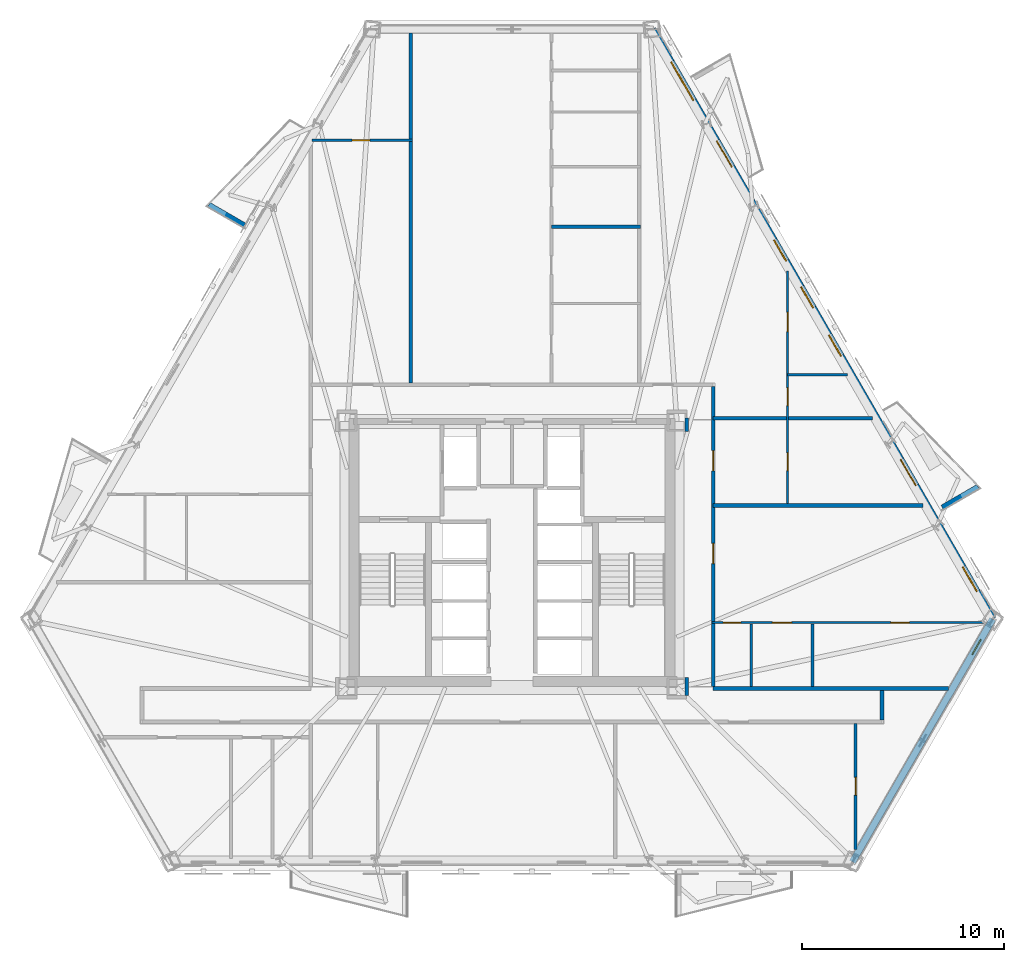
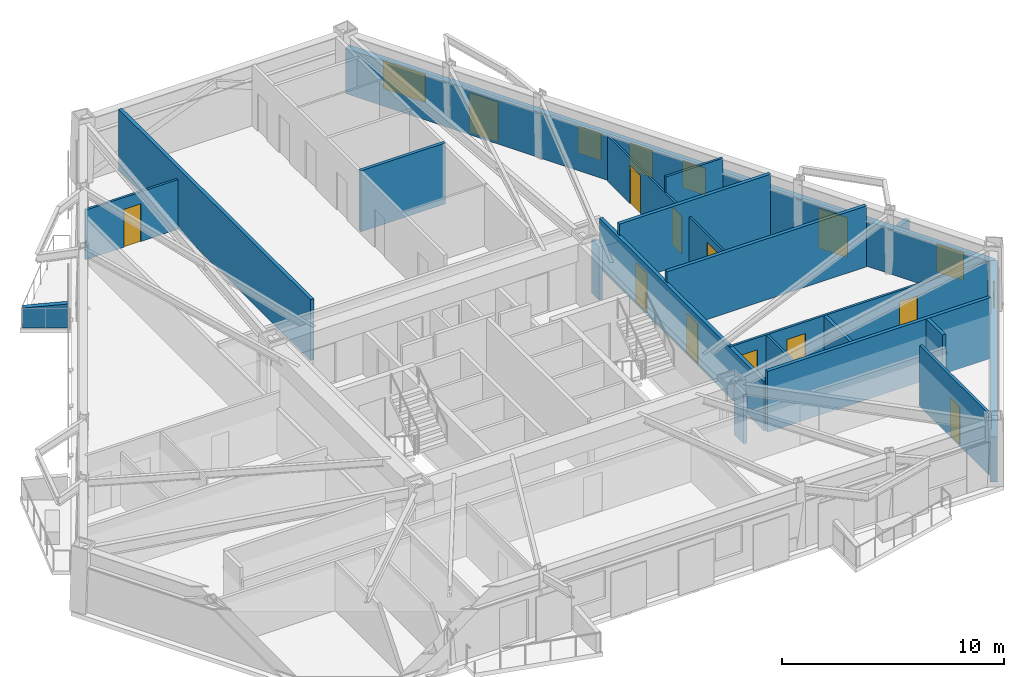
# One storey, part 5 of 10: 20 walls, 12 doors, 6 windows, 18 openings.
"""IFC4 building model written with IfcOpenShell, lengths in metres."""

import ifcopenshell
import ifcopenshell.guid

model = None  # the IFC model being written
_history = None  # IfcOwnerHistory: only IFC2X3 demands one
_inside = {}  # id of a spatial element -> (the spatial element, [elements in it])
_under = {}  # id of a project, library or spatial element -> (it, [spatial elements below it])
_declared = {}  # id of a project -> (the project, [libraries it declares])
_typed = {}  # id of a type object -> (the type object, [elements of that type])
_made_of = {}  # id of a material, layer set ... -> (it, [elements and type objects made of it])


def new_model(schema):
    """Start an empty IFC model of exactly this schema.

    Asked for "IFC4X3", IfcOpenShell would pick the latest addendum, in which some entities
    have other attributes; the version numbers below select the first issue.
    IFC2X3 requires an IfcOwnerHistory on every rooted entity: one is made here for all.
    """
    global model, _history
    if schema == "IFC4X3":
        model = ifcopenshell.file(schema_version=(4, 3, 0, 0))
    else:
        model = ifcopenshell.file(schema=schema)
    _inside.clear()
    _under.clear()
    _declared.clear()
    _typed.clear()
    _made_of.clear()
    _history = None
    if model.schema == "IFC2X3":
        org = make("IfcOrganization", Name="unknown")
        user = make(
            "IfcPersonAndOrganization",
            ThePerson=make("IfcPerson", FamilyName="unknown"),
            TheOrganization=org,
        )
        app = make(
            "IfcApplication",
            ApplicationDeveloper=org,
            Version="unknown",
            ApplicationFullName="unknown",
            ApplicationIdentifier="unknown",
        )
        _history = make(
            "IfcOwnerHistory",
            OwningUser=user,
            OwningApplication=app,
            ChangeAction="ADDED",
            CreationDate=0,
        )
    return model


def make(cls, **values):
    """One entity of the class cls with the attributes given. An attribute that is None is left unset."""
    return model.create_entity(
        cls, **{name: value for name, value in values.items() if value is not None}
    )


def rooted(cls, **values):
    """An entity with a GlobalId (a new one), such as an element, a storey or a relation."""
    return make(cls, GlobalId=ifcopenshell.guid.new(), OwnerHistory=_history, **values)


def si_unit(unit_type, name, prefix=None):
    """IfcSIUnit, for example si_unit("LENGTHUNIT", "METRE", prefix="MILLI")."""
    return make("IfcSIUnit", UnitType=unit_type, Prefix=prefix, Name=name)


def assignment(units):
    """IfcUnitAssignment: the units of a project."""
    return None if units is None else make("IfcUnitAssignment", Units=units)


def point(xyz):
    """IfcCartesianPoint."""
    return None if xyz is None else make("IfcCartesianPoint", Coordinates=xyz)


def direction(xyz):
    """IfcDirection."""
    return None if xyz is None else make("IfcDirection", DirectionRatios=xyz)


def frame(location, z_axis=None, x_axis=None):
    """IfcAxis2Placement3D, a coordinate frame: its origin and axes. An axis left out is left unset."""
    return make(
        "IfcAxis2Placement3D",
        Location=point(location),
        Axis=direction(z_axis),
        RefDirection=direction(x_axis),
    )


def frame_2d(location, x_axis=None):
    """IfcAxis2Placement2D, a coordinate frame in the plane: its origin and x axis."""
    return make(
        "IfcAxis2Placement2D", Location=point(location), RefDirection=direction(x_axis)
    )


def origin():
    """The frame at (0, 0, 0) with its axes left unset."""
    return frame((0.0, 0.0, 0.0))


def place(relative_to, where):
    """IfcLocalPlacement: puts the frame where relative to a parent placement (None: the world)."""
    return make(
        "IfcLocalPlacement", PlacementRelTo=relative_to, RelativePlacement=where
    )


def context(
    kind, dimensions, precision=None, world=None, true_north=None, identifier=None
):
    """IfcGeometricRepresentationContext, for example the 3D "Model" context."""
    return make(
        "IfcGeometricRepresentationContext",
        ContextIdentifier=identifier,
        ContextType=kind,
        CoordinateSpaceDimension=dimensions,
        Precision=precision,
        WorldCoordinateSystem=world,
        TrueNorth=true_north,
    )


def subcontext(parent, identifier, kind, view, scale=None):
    """IfcGeometricRepresentationSubContext, for example "Body" below "Model"."""
    return make(
        "IfcGeometricRepresentationSubContext",
        ContextIdentifier=identifier,
        ContextType=kind,
        ParentContext=parent,
        TargetScale=scale,
        TargetView=view,
    )


def project(units=None, contexts=None):
    """IfcProject with its units and contexts."""
    return rooted(
        "IfcProject",
        Name="project",
        RepresentationContexts=contexts,
        UnitsInContext=assignment(units),
    )


def spatial(cls, under=None, at=None, **own):
    """A site, building, storey or space (cls), placed at a placement, below another one or the project."""
    s = rooted(cls, ObjectPlacement=at, **own)
    if under is not None:
        _under.setdefault(under.id(), (under, []))[1].append(s)
    return s


def polyline(points):
    """IfcPolyline through the points."""
    return make("IfcPolyline", Points=[point(p) for p in points])


def profile(cls, at=None, kind="AREA", **sizes):
    """A parametric profile (cls). Its sizes go by their IFC names, for example OverallWidth=200.0."""
    return make(cls, ProfileType=kind, Position=at, **sizes)


def rectangle(**sizes):
    """IfcRectangleProfileDef."""
    return profile("IfcRectangleProfileDef", **sizes)


def outline(outer, holes=None, kind="AREA"):
    """IfcArbitraryClosedProfileDef: a profile drawn as a closed curve; with holes, ...WithVoids."""
    if holes is None:
        return make("IfcArbitraryClosedProfileDef", ProfileType=kind, OuterCurve=outer)
    return make(
        "IfcArbitraryProfileDefWithVoids",
        ProfileType=kind,
        OuterCurve=outer,
        InnerCurves=holes,
    )


def extrude(swept, where, along, depth):
    """IfcExtrudedAreaSolid: the profile swept, set in the frame where, extruded along a direction by depth."""
    return make(
        "IfcExtrudedAreaSolid",
        SweptArea=swept,
        Position=where,
        ExtrudedDirection=direction(along),
        Depth=depth,
    )


def shape(context_of_items, identifier, shape_type, items):
    """IfcShapeRepresentation: the items that make up one representation, for example the "Body"."""
    return make(
        "IfcShapeRepresentation",
        ContextOfItems=context_of_items,
        RepresentationIdentifier=identifier,
        RepresentationType=shape_type,
        Items=items,
    )


def material(Name=None, Category=None):
    """IfcMaterial."""
    return make("IfcMaterial", Name=Name, Category=Category)


def layer(
    of_material, thickness, ventilated=None, Name=None, Category=None, Priority=None
):
    """IfcMaterialLayer: one layer of a wall or slab, of a material (None: an air gap)."""
    return make(
        "IfcMaterialLayer",
        Material=of_material,
        LayerThickness=thickness,
        IsVentilated=ventilated,
        Name=Name,
        Category=Category,
        Priority=Priority,
    )


def layer_set(layers, Name=None):
    """IfcMaterialLayerSet."""
    return make("IfcMaterialLayerSet", MaterialLayers=layers, LayerSetName=Name)


def made_of(thing, what):
    """Note that an element or type object is made of a material, layer set ...; save() writes the relation."""
    if what is not None:
        _made_of.setdefault(what.id(), (what, []))[1].append(thing)
    return thing


def type_object(cls, material=None, **own):
    """A type object (cls), such as IfcWallType, which elements share."""
    return made_of(rooted(cls, **own), material)


def element(
    cls,
    number,
    at=None,
    inside=None,
    cuts=None,
    type_object=None,
    material=None,
    context=None,
    identifier="Body",
    shape_type=None,
    held_by="IfcProductDefinitionShape",
    body=None,
    shapes=None,
    **own,
):
    """One element of the class cls, such as IfcWall. Its Tag is "e" and its number.

    at: its placement. inside: the storey or other place that contains it. cuts: it is an
    opening in that element (IfcRelVoidsElement). A single representation is given by context,
    identifier, shape_type and body (its items); several are given by shapes. held_by: the class
    of the entity that holds the representations. save() writes the other relations.
    """
    e = rooted(cls, Tag="e%d" % number, ObjectPlacement=at, **own)
    if body is not None:
        shapes = [shape(context, identifier, shape_type, body)]
    if shapes is not None:
        e.Representation = make(held_by, Representations=shapes)
    if inside is not None:
        _inside.setdefault(inside.id(), (inside, []))[1].append(e)
    if cuts is not None:
        rooted(
            "IfcRelVoidsElement", RelatingBuildingElement=cuts, RelatedOpeningElement=e
        )
    if type_object is not None:
        _typed.setdefault(type_object.id(), (type_object, []))[1].append(e)
    return made_of(e, material)


def fill(opening, filler):
    """IfcRelFillsElement: the door or window that sits in an opening."""
    return rooted(
        "IfcRelFillsElement",
        RelatingOpeningElement=opening,
        RelatedBuildingElement=filler,
    )


def aggregate(whole, parts):
    """IfcRelAggregates: a whole, such as a stair, and the parts it consists of."""
    return rooted("IfcRelAggregates", RelatingObject=whole, RelatedObjects=parts)


def save(model, path):
    """Write the relations noted so far, then the file.

    IfcRelAggregates (storeys below a building ...), IfcRelContainedInSpatialStructure (elements
    in a storey), IfcRelDefinesByType, IfcRelAssociatesMaterial and IfcRelDeclares: one each for
    every whole, place, type object, material and project.
    """
    for whole, parts in _under.values():
        aggregate(whole, parts)
    for where, things in _inside.values():
        rooted(
            "IfcRelContainedInSpatialStructure",
            RelatedElements=things,
            RelatingStructure=where,
        )
    for kind, things in _typed.values():
        rooted("IfcRelDefinesByType", RelatedObjects=things, RelatingType=kind)
    for what, things in _made_of.values():
        rooted("IfcRelAssociatesMaterial", RelatedObjects=things, RelatingMaterial=what)
    for by, libraries in _declared.values():
        rooted("IfcRelDeclares", RelatingContext=by, RelatedDefinitions=libraries)
    model.write(path)


model = new_model("IFC4")

# Units and contexts
model_context = context("Model", 3, precision=1e-05, world=origin(), true_north=direction((0.0, 1.0)))
body_context = subcontext(model_context, "Body", "Model", "MODEL_VIEW")
ifc_project = project(units=[si_unit("LENGTHUNIT", "METRE"), si_unit("AREAUNIT", "SQUARE_METRE"), si_unit("VOLUMEUNIT", "CUBIC_METRE"), si_unit("PLANEANGLEUNIT", "RADIAN"), si_unit("MASSUNIT", "GRAM", prefix="KILO")], contexts=[model_context])

# Site, building, storey
site_placement = place(None, origin())
site = spatial("IfcSite", under=ifc_project, at=site_placement, CompositionType="ELEMENT")
building_placement = place(site_placement, origin())
building = spatial("IfcBuilding", under=site, at=building_placement, Name="Oramaril Tower", CompositionType="ELEMENT")
storey_placement = place(building_placement, frame((0.0, 0.0, 63.300048828125)))
storey = spatial("IfcBuildingStorey", under=building, at=storey_placement, Name="L16", CompositionType="ELEMENT", Elevation=63.300048828125)

# Wall, opening, window
ifc_material_1 = material(Name="Warm Cream Limestone", Category="masonry")
ifc_layer_1 = layer(ifc_material_1, 0.340087890625)
ifc_layer_set_1 = layer_set([ifc_layer_1], Name="WT-EXT34")
wall_type_1 = type_object("IfcWallType", Name="WT-EXT34", PredefinedType="SOLIDWALL", material=ifc_layer_set_1)
wall_1_placement = place(storey_placement, frame((54.33740234375, 2.370361328125, 0.0), z_axis=(0.0, 0.0, 1.0), x_axis=(0.500006336147, 0.866021745577, 0.0)))
wall_1 = element("IfcWall", 1, at=wall_1_placement, inside=storey, type_object=wall_type_1, Name="L16 Tower Limestone Facade Wall 3M", PredefinedType="SOLIDWALL", context=body_context, shape_type="SweptSolid", body=[
    extrude(rectangle(XDim=13.871337890625, YDim=0.340087890625, at=frame_2d((6.935546875, 0.0))), origin(), (0.0, 0.0, 1.0), 2.493896484375),
])
opening_1_placement = place(wall_1_placement, frame((11.84912109375, 0.0, 1.280029296875)))
opening_1 = element("IfcOpeningElement", 2, at=opening_1_placement, cuts=wall_1, Name="Opening WN-13", PredefinedType="OPENING", context=body_context, shape_type="SweptSolid", body=[
    extrude(rectangle(XDim=0.85009765625, YDim=0.919921875, at=frame_2d((0.425048828125, 0.4599609375))), frame((0.0, 0.169921875, 0.0), z_axis=(0.0, -1.0, 0.0), x_axis=(1.0, 0.0, 0.0)), (0.0, 0.0, 1.0), 0.340087890625),
])
ifc_material_2 = material(Name="Coastal Low-E Insulated Glass", Category="glass")
window_type_1 = type_object("IfcWindowType", Name="WNT-13", PartitioningType="SINGLE_PANEL", PredefinedType="WINDOW", material=ifc_material_2)
window_1_placement = place(opening_1_placement, origin())
window_1 = element("IfcWindow", 3, at=window_1_placement, inside=storey, type_object=window_type_1, Name="L16 Apartment Bedroom Window WN-13", OverallHeight=0.919921875, OverallWidth=0.85009765625, PartitioningType="SINGLE_PANEL", PredefinedType="WINDOW", context=body_context, shape_type="SweptSolid", body=[
    extrude(rectangle(XDim=0.85009765625, YDim=0.919921875, at=frame_2d((0.425048828125, 0.4599609375))), frame((0.0, 0.030029296875, 0.0), z_axis=(0.0, -1.0, 0.0), x_axis=(1.0, 0.0, 0.0)), (0.0, 0.0, 1.0), 0.06005859375),
])
fill(opening_1, window_1)

# Wall, openings, doors, windows
wall_2_placement = place(storey_placement, frame((61.273193359375, 14.38330078125, 0.0), z_axis=(0.0, 0.0, 1.0), x_axis=(-0.500001933811, 0.866024287295, 0.0)))
wall_2 = element("IfcWall", 4, at=wall_2_placement, inside=storey, type_object=wall_type_1, Name="L16 Tower Limestone Facade Wall 4M", PredefinedType="SOLIDWALL", context=body_context, shape_type="SweptSolid", body=[
    extrude(rectangle(XDim=33.674560546875, YDim=0.340087890625, at=frame_2d((16.83740234375, 0.0))), origin(), (0.0, 0.0, 1.0), 2.493896484375),
])
opening_2_placement = place(wall_2_placement, frame((7.614501953125, 0.0, 0.0)))
opening_2 = element("IfcOpeningElement", 5, at=opening_2_placement, cuts=wall_2, Name="Opening D-L16-BAL-NE1", PredefinedType="OPENING", context=body_context, shape_type="SweptSolid", body=[
    extrude(rectangle(XDim=1.5, YDim=2.199951171875, at=frame_2d((0.75, 1.10009765625))), frame((0.0, 0.169921875, 0.0), z_axis=(0.0, -1.0, 0.0), x_axis=(1.0, 0.0, 0.0)), (0.0, 0.0, 1.0), 0.340087890625),
])
opening_3_placement = place(wall_2_placement, frame((25.805419921875, 0.0, 0.0)))
opening_3 = element("IfcOpeningElement", 6, at=opening_3_placement, cuts=wall_2, Name="Opening D-L16-BAL-NE2", PredefinedType="OPENING", context=body_context, shape_type="SweptSolid", body=[
    extrude(rectangle(XDim=1.5, YDim=2.199951171875, at=frame_2d((0.75, 1.10009765625))), frame((0.0, 0.169921875, 0.0), z_axis=(0.0, -1.0, 0.0), x_axis=(1.0, 0.0, 0.0)), (0.0, 0.0, 1.0), 0.340087890625),
])
opening_4_placement = place(wall_2_placement, frame((1.569580078125, 0.0, 0.85009765625)))
opening_4 = element("IfcOpeningElement", 7, at=opening_4_placement, cuts=wall_2, Name="Opening WN-08", PredefinedType="OPENING", context=body_context, shape_type="SweptSolid", body=[
    extrude(rectangle(XDim=1.39990234375, YDim=1.533935546875, at=frame_2d((0.699951171875, 0.76708984375))), frame((0.0, 0.169921875, 0.0), z_axis=(0.0, -1.0, 0.0), x_axis=(1.0, 0.0, 0.0)), (0.0, 0.0, 1.0), 0.340087890625),
])
opening_5_placement = place(wall_2_placement, frame((20.43603515625, 0.0, 0.85009765625)))
opening_5 = element("IfcOpeningElement", 8, at=opening_5_placement, cuts=wall_2, Name="Opening WN-09", PredefinedType="OPENING", context=body_context, shape_type="SweptSolid", body=[
    extrude(rectangle(XDim=1.199951171875, YDim=1.47998046875, at=frame_2d((0.60009765625, 0.739990234375))), frame((0.0, 0.169921875, 0.0), z_axis=(0.0, -1.0, 0.0), x_axis=(1.0, 0.0, 0.0)), (0.0, 0.0, 1.0), 0.340087890625),
])
opening_6_placement = place(wall_2_placement, frame((29.610107421875, 0.0, 0.85009765625)))
opening_6 = element("IfcOpeningElement", 9, at=opening_6_placement, cuts=wall_2, Name="Opening WN-04", PredefinedType="OPENING", context=body_context, shape_type="SweptSolid", body=[
    extrude(rectangle(XDim=2.199951171875, YDim=1.533935546875, at=frame_2d((1.10009765625, 0.76708984375))), frame((0.0, 0.169921875, 0.0), z_axis=(0.0, -1.0, 0.0), x_axis=(1.0, 0.0, 0.0)), (0.0, 0.0, 1.0), 0.340087890625),
])
opening_7_placement = place(wall_2_placement, frame((15.0126953125, 0.0, 0.85009765625)))
opening_7 = element("IfcOpeningElement", 10, at=opening_7_placement, cuts=wall_2, Name="Opening WN-09", PredefinedType="OPENING", context=body_context, shape_type="SweptSolid", body=[
    extrude(rectangle(XDim=1.199951171875, YDim=1.47998046875, at=frame_2d((0.60009765625, 0.739990234375))), frame((0.0, 0.169921875, 0.0), z_axis=(0.0, -1.0, 0.0), x_axis=(1.0, 0.0, 0.0)), (0.0, 0.0, 1.0), 0.340087890625),
])
opening_8_placement = place(wall_2_placement, frame((17.7646484375, 0.0, 0.85009765625)))
opening_8 = element("IfcOpeningElement", 11, at=opening_8_placement, cuts=wall_2, Name="Opening WN-09", PredefinedType="OPENING", context=body_context, shape_type="SweptSolid", body=[
    extrude(rectangle(XDim=1.199951171875, YDim=1.47998046875, at=frame_2d((0.60009765625, 0.739990234375))), frame((0.0, 0.169921875, 0.0), z_axis=(0.0, -1.0, 0.0), x_axis=(1.0, 0.0, 0.0)), (0.0, 0.0, 1.0), 0.340087890625),
])
ifc_material_3 = material(Name="Anodised Aluminium 6063-T6", Category="aluminium")
door_type_1 = type_object("IfcDoorType", Name="DT-BAL", OperationType="NOTDEFINED", PredefinedType="DOOR", material=ifc_material_3)
door_1_placement = place(opening_2_placement, origin())
door_1 = element("IfcDoor", 12, at=door_1_placement, inside=storey, type_object=door_type_1, Name="L16 Balcony Glazed Door L16-BAL-NE1", OperationType="SINGLE_SWING_LEFT", OverallHeight=2.199951171875, OverallWidth=1.5, PredefinedType="DOOR", context=body_context, shape_type="SweptSolid", body=[
    extrude(rectangle(XDim=1.5, YDim=2.199951171875, at=frame_2d((0.75, 1.10009765625))), frame((0.0, 0.02490234375, 0.0), z_axis=(0.0, -1.0, 0.0), x_axis=(1.0, 0.0, 0.0)), (0.0, 0.0, 1.0), 0.050048828125),
])
fill(opening_2, door_1)
door_2_placement = place(opening_3_placement, origin())
door_2 = element("IfcDoor", 13, at=door_2_placement, inside=storey, type_object=door_type_1, Name="L16 Balcony Glazed Door L16-BAL-NE2", OperationType="SINGLE_SWING_RIGHT", OverallHeight=2.199951171875, OverallWidth=1.5, PredefinedType="DOOR", context=body_context, shape_type="SweptSolid", body=[
    extrude(rectangle(XDim=1.5, YDim=2.199951171875, at=frame_2d((0.75, 1.10009765625))), frame((0.0, 0.02490234375, 0.0), z_axis=(0.0, -1.0, 0.0), x_axis=(1.0, 0.0, 0.0)), (0.0, 0.0, 1.0), 0.050048828125),
])
fill(opening_3, door_2)
ifc_material_4 = material(Name="Coastal Low-E Insulated Glass", Category="glass")
window_type_2 = type_object("IfcWindowType", Name="WNT-04", PartitioningType="SINGLE_PANEL", PredefinedType="WINDOW", material=ifc_material_4)
window_2_placement = place(opening_6_placement, origin())
window_2 = element("IfcWindow", 14, at=window_2_placement, inside=storey, type_object=window_type_2, Name="L16 Chicago Bay Window WN-04", OverallHeight=1.533935546875, OverallWidth=2.199951171875, PartitioningType="SINGLE_PANEL", PredefinedType="WINDOW", context=body_context, shape_type="SweptSolid", body=[
    extrude(rectangle(XDim=2.199951171875, YDim=1.533935546875, at=frame_2d((1.10009765625, 0.76708984375))), frame((0.0, 0.030029296875, 0.0), z_axis=(0.0, -1.0, 0.0), x_axis=(1.0, 0.0, 0.0)), (0.0, 0.0, 1.0), 0.06005859375),
])
fill(opening_6, window_2)
ifc_material_5 = material(Name="Coastal Low-E Insulated Glass", Category="glass")
window_type_3 = type_object("IfcWindowType", Name="WNT-08", PartitioningType="SINGLE_PANEL", PredefinedType="WINDOW", material=ifc_material_5)
window_3_placement = place(opening_4_placement, origin())
window_3 = element("IfcWindow", 15, at=window_3_placement, inside=storey, type_object=window_type_3, Name="L16 Chicago Bay Window WN-08", OverallHeight=1.533935546875, OverallWidth=1.39990234375, PartitioningType="SINGLE_PANEL", PredefinedType="WINDOW", context=body_context, shape_type="SweptSolid", body=[
    extrude(rectangle(XDim=1.39990234375, YDim=1.533935546875, at=frame_2d((0.699951171875, 0.76708984375))), frame((0.0, 0.030029296875, 0.0), z_axis=(0.0, -1.0, 0.0), x_axis=(1.0, 0.0, 0.0)), (0.0, 0.0, 1.0), 0.06005859375),
])
fill(opening_4, window_3)
ifc_material_6 = material(Name="Coastal Low-E Insulated Glass", Category="glass")
window_type_4 = type_object("IfcWindowType", Name="WNT-09", PartitioningType="SINGLE_PANEL", PredefinedType="WINDOW", material=ifc_material_6)
window_4_placement = place(opening_5_placement, origin())
window_4 = element("IfcWindow", 16, at=window_4_placement, inside=storey, type_object=window_type_4, Name="L16 Chicago Bay Window WN-09", OverallHeight=1.47998046875, OverallWidth=1.199951171875, PartitioningType="SINGLE_PANEL", PredefinedType="WINDOW", context=body_context, shape_type="SweptSolid", body=[
    extrude(rectangle(XDim=1.199951171875, YDim=1.47998046875, at=frame_2d((0.60009765625, 0.739990234375))), frame((0.0, 0.030029296875, 0.0), z_axis=(0.0, -1.0, 0.0), x_axis=(1.0, 0.0, 0.0)), (0.0, 0.0, 1.0), 0.06005859375),
])
fill(opening_5, window_4)
window_5_placement = place(opening_7_placement, origin())
window_5 = element("IfcWindow", 17, at=window_5_placement, inside=storey, type_object=window_type_4, Name="L16 Chicago Bay Window WN-09", OverallHeight=1.47998046875, OverallWidth=1.199951171875, PartitioningType="SINGLE_PANEL", PredefinedType="WINDOW", context=body_context, shape_type="SweptSolid", body=[
    extrude(rectangle(XDim=1.199951171875, YDim=1.47998046875, at=frame_2d((0.60009765625, 0.739990234375))), frame((0.0, 0.030029296875, 0.0), z_axis=(0.0, -1.0, 0.0), x_axis=(1.0, 0.0, 0.0)), (0.0, 0.0, 1.0), 0.06005859375),
])
fill(opening_7, window_5)
window_6_placement = place(opening_8_placement, origin())
window_6 = element("IfcWindow", 18, at=window_6_placement, inside=storey, type_object=window_type_4, Name="L16 Chicago Bay Window WN-09", OverallHeight=1.47998046875, OverallWidth=1.199951171875, PartitioningType="SINGLE_PANEL", PredefinedType="WINDOW", context=body_context, shape_type="SweptSolid", body=[
    extrude(rectangle(XDim=1.199951171875, YDim=1.47998046875, at=frame_2d((0.60009765625, 0.739990234375))), frame((0.0, 0.030029296875, 0.0), z_axis=(0.0, -1.0, 0.0), x_axis=(1.0, 0.0, 0.0)), (0.0, 0.0, 1.0), 0.06005859375),
])
fill(opening_8, window_6)

# Walls
ifc_material_7 = material(Name="Concrete C40/50", Category="concrete")
ifc_layer_2 = layer(ifc_material_7, 0.22998046875)
ifc_layer_set_2 = layer_set([ifc_layer_2], Name="WT-PRP23")
wall_type_2 = type_object("IfcWallType", Name="WT-PRP23", PredefinedType="PARAPET", material=ifc_layer_set_2)
for number, where, z_axis, x_axis, name in (
    (19, (58.771240234375, 19.91259765625, 0.0), (0.0, 0.0, 1.0), (0.866042246008, 0.499970827278, 0.0), "L16 Trapezoidal Balcony Frame Cheek L16-BAL-NE1-L"),
    (20, (24.28173828125, 33.860595703125, 0.0), (0.0, 0.0, 1.0), (-0.866042246008, 0.499970827278, 0.0), "L16 Trapezoidal Balcony Frame Cheek L16-BAL-NW1-R"),
):
    element("IfcWall", number, at=place(storey_placement, frame(where, z_axis=z_axis, x_axis=x_axis)), inside=storey, type_object=wall_type_2, Name=name, PredefinedType="PARAPET", context=body_context, shape_type="SweptSolid", body=[
        extrude(outline(polyline([(0.0, 0.0), (2.0419921875, 0.0), (2.0419921875, 1.099853515625), (0.0, 1.320068359375), (0.0, 0.0)])), frame((0.0, 0.114990234375, 0.0), z_axis=(0.0, -1.0, 0.0), x_axis=(1.0, 0.0, 0.0)), (0.0, 0.0, 1.0), 0.22998046875),
    ])

# Wall, openings, doors
ifc_material_8 = material(Name="Acoustic Gypsum Board Partition")
ifc_layer_3 = layer(ifc_material_8, 0.10009765625)
ifc_layer_set_3 = layer_set([ifc_layer_3], Name="WT-PT10")
wall_type_3 = type_object("IfcWallType", Name="WT-PT10", PredefinedType="PARTITIONING", material=ifc_layer_set_3)
wall_3_placement = place(storey_placement, frame((51.1298828125, 20.093994140625, 0.0), z_axis=(0.0, 0.0, 1.0), x_axis=(0.0, 1.0, 0.0)))
wall_3 = element("IfcWall", 21, at=wall_3_placement, inside=storey, type_object=wall_type_3, Name="L16 Interior Partition PT-10", PredefinedType="PARTITIONING", context=body_context, shape_type="SweptSolid", body=[
    extrude(rectangle(XDim=11.509521484375, YDim=0.10009765625, at=frame_2d((5.7548828125, 0.0))), origin(), (0.0, 0.0, 1.0), 2.493896484375),
])
opening_9_placement = place(wall_3_placement, frame((4.841064453125, 0.0, 0.0)))
opening_9 = element("IfcOpeningElement", 22, at=opening_9_placement, cuts=wall_3, Name="Opening D-L16-27", PredefinedType="OPENING", context=body_context, shape_type="SweptSolid", body=[
    extrude(rectangle(XDim=0.8798828125, YDim=2.080078125, at=frame_2d((0.43994140625, 1.0400390625))), frame((0.0, 0.050048828125, 0.0), z_axis=(0.0, -1.0, 0.0), x_axis=(1.0, 0.0, 0.0)), (0.0, 0.0, 1.0), 0.10009765625),
])
opening_10_placement = place(wall_3_placement, frame((8.49951171875, 0.0, 0.0)))
opening_10 = element("IfcOpeningElement", 23, at=opening_10_placement, cuts=wall_3, Name="Opening D-L16-28", PredefinedType="OPENING", context=body_context, shape_type="SweptSolid", body=[
    extrude(rectangle(XDim=0.949951171875, YDim=2.10009765625, at=frame_2d((0.47509765625, 1.050048828125))), frame((0.0, 0.050048828125, 0.0), z_axis=(0.0, -1.0, 0.0), x_axis=(1.0, 0.0, 0.0)), (0.0, 0.0, 1.0), 0.10009765625),
])
opening_11_placement = place(wall_3_placement, frame((1.6259765625, 0.0, 0.0)))
opening_11 = element("IfcOpeningElement", 24, at=opening_11_placement, cuts=wall_3, Name="Opening D-L16-29", PredefinedType="OPENING", context=body_context, shape_type="SweptSolid", body=[
    extrude(rectangle(XDim=0.8798828125, YDim=2.080078125, at=frame_2d((0.43994140625, 1.0400390625))), frame((0.0, 0.050048828125, 0.0), z_axis=(0.0, -1.0, 0.0), x_axis=(1.0, 0.0, 0.0)), (0.0, 0.0, 1.0), 0.10009765625),
])
ifc_material_9 = material(Name="FSC Brazilian Freijo Hardwood", Category="wood")
door_type_2 = type_object("IfcDoorType", Name="DT-BATH", OperationType="NOTDEFINED", PredefinedType="DOOR", material=ifc_material_9)
door_3_placement = place(opening_9_placement, origin())
door_3 = element("IfcDoor", 25, at=door_3_placement, inside=storey, type_object=door_type_2, Name="L16 Flat L16-U9 Bathroom Door D-L16-27", OperationType="SINGLE_SWING_RIGHT", OverallHeight=2.080078125, OverallWidth=0.8798828125, PredefinedType="DOOR", context=body_context, shape_type="SweptSolid", body=[
    extrude(rectangle(XDim=0.8798828125, YDim=2.080078125, at=frame_2d((0.43994140625, 1.0400390625))), frame((0.0, 0.02490234375, 0.0), z_axis=(0.0, -1.0, 0.0), x_axis=(1.0, 0.0, 0.0)), (0.0, 0.0, 1.0), 0.050048828125),
])
fill(opening_9, door_3)
door_4_placement = place(opening_11_placement, origin())
door_4 = element("IfcDoor", 26, at=door_4_placement, inside=storey, type_object=door_type_2, Name="L16 Flat L16-U6 Bathroom Door D-L16-29", OperationType="SINGLE_SWING_RIGHT", OverallHeight=2.080078125, OverallWidth=0.8798828125, PredefinedType="DOOR", context=body_context, shape_type="SweptSolid", body=[
    extrude(rectangle(XDim=0.8798828125, YDim=2.080078125, at=frame_2d((0.43994140625, 1.0400390625))), frame((0.0, 0.02490234375, 0.0), z_axis=(0.0, -1.0, 0.0), x_axis=(1.0, 0.0, 0.0)), (0.0, 0.0, 1.0), 0.050048828125),
])
fill(opening_11, door_4)
ifc_material_10 = material(Name="FSC Brazilian Freijo Hardwood", Category="wood")
door_type_3 = type_object("IfcDoorType", Name="DT-STDY", OperationType="NOTDEFINED", PredefinedType="DOOR", material=ifc_material_10)
door_5_placement = place(opening_10_placement, origin())
door_5 = element("IfcDoor", 27, at=door_5_placement, inside=storey, type_object=door_type_3, Name="L16 Flat L16-U9 Kitchen Door D-L16-28", OperationType="SINGLE_SWING_LEFT", OverallHeight=2.10009765625, OverallWidth=0.949951171875, PredefinedType="DOOR", context=body_context, shape_type="SweptSolid", body=[
    extrude(rectangle(XDim=0.949951171875, YDim=2.10009765625, at=frame_2d((0.47509765625, 1.050048828125))), frame((0.0, 0.02490234375, 0.0), z_axis=(0.0, -1.0, 0.0), x_axis=(1.0, 0.0, 0.0)), (0.0, 0.0, 1.0), 0.050048828125),
])
fill(opening_10, door_5)

ifc_material_11 = material(Name="Acoustic Gypsum Board Partition")
ifc_layer_4 = layer(ifc_material_11, 0.1201171875)
ifc_layer_set_4 = layer_set([ifc_layer_4], Name="WT-PT12")
wall_type_4 = type_object("IfcWallType", Name="WT-PT12", PredefinedType="PARTITIONING", material=ifc_layer_set_4)
wall_4_placement = place(storey_placement, frame((47.39990234375, 14.2099609375, 0.0), z_axis=(0.0, 0.0, 1.0), x_axis=(1.0, 0.0, 0.0)))
wall_4 = element("IfcWall", 28, at=wall_4_placement, inside=storey, type_object=wall_type_4, Name="L16 Interior Partition PT-12", PredefinedType="PARTITIONING", context=body_context, shape_type="SweptSolid", body=[
    extrude(rectangle(XDim=13.427978515625, YDim=0.1201171875, at=frame_2d((6.7138671875, 0.0))), origin(), (0.0, 0.0, 1.0), 2.738037109375),
])
opening_12_placement = place(wall_4_placement, frame((0.5400390625, 0.0, 0.0)))
opening_12 = element("IfcOpeningElement", 29, at=opening_12_placement, cuts=wall_4, Name="Opening D-L16-07", PredefinedType="OPENING", context=body_context, shape_type="SweptSolid", body=[
    extrude(rectangle(XDim=0.8798828125, YDim=2.080078125, at=frame_2d((0.43994140625, 1.0400390625))), frame((0.0, 0.06005859375, 0.0), z_axis=(0.0, -1.0, 0.0), x_axis=(1.0, 0.0, 0.0)), (0.0, 0.0, 1.0), 0.1201171875),
])
opening_13_placement = place(wall_4_placement, frame((2.97412109375, 0.0, 0.0)))
opening_13 = element("IfcOpeningElement", 30, at=opening_13_placement, cuts=wall_4, Name="Opening D-L16-08", PredefinedType="OPENING", context=body_context, shape_type="SweptSolid", body=[
    extrude(rectangle(XDim=0.949951171875, YDim=2.10009765625, at=frame_2d((0.47509765625, 1.050048828125))), frame((0.0, 0.06005859375, 0.0), z_axis=(0.0, -1.0, 0.0), x_axis=(1.0, 0.0, 0.0)), (0.0, 0.0, 1.0), 0.1201171875),
])
opening_14_placement = place(wall_4_placement, frame((8.83349609375, 0.0, 0.0)))
opening_14 = element("IfcOpeningElement", 31, at=opening_14_placement, cuts=wall_4, Name="Opening D-L16-09", PredefinedType="OPENING", context=body_context, shape_type="SweptSolid", body=[
    extrude(rectangle(XDim=0.919921875, YDim=2.1201171875, at=frame_2d((0.4599609375, 1.06005859375))), frame((0.0, 0.06005859375, 0.0), z_axis=(0.0, -1.0, 0.0), x_axis=(1.0, 0.0, 0.0)), (0.0, 0.0, 1.0), 0.1201171875),
])
door_6_placement = place(opening_12_placement, origin())
door_6 = element("IfcDoor", 32, at=door_6_placement, inside=storey, type_object=door_type_2, Name="L16 Flat L16-U5 Bathroom Door D-L16-07", OperationType="SINGLE_SWING_RIGHT", OverallHeight=2.080078125, OverallWidth=0.8798828125, PredefinedType="DOOR", context=body_context, shape_type="SweptSolid", body=[
    extrude(rectangle(XDim=0.8798828125, YDim=2.080078125, at=frame_2d((0.43994140625, 1.0400390625))), frame((0.0, 0.02490234375, 0.0), z_axis=(0.0, -1.0, 0.0), x_axis=(1.0, 0.0, 0.0)), (0.0, 0.0, 1.0), 0.050048828125),
])
fill(opening_12, door_6)
ifc_material_12 = material(Name="FSC Brazilian Freijo Hardwood", Category="wood")
door_type_4 = type_object("IfcDoorType", Name="DT-BED", OperationType="NOTDEFINED", PredefinedType="DOOR", material=ifc_material_12)
door_7_placement = place(opening_14_placement, origin())
door_7 = element("IfcDoor", 33, at=door_7_placement, inside=storey, type_object=door_type_4, Name="L16 Flat L16-U5 Master Bedroom Door D-L16-09", OperationType="SINGLE_SWING_RIGHT", OverallHeight=2.1201171875, OverallWidth=0.919921875, PredefinedType="DOOR", context=body_context, shape_type="SweptSolid", body=[
    extrude(rectangle(XDim=0.919921875, YDim=2.1201171875, at=frame_2d((0.4599609375, 1.06005859375))), frame((0.0, 0.02490234375, 0.0), z_axis=(0.0, -1.0, 0.0), x_axis=(1.0, 0.0, 0.0)), (0.0, 0.0, 1.0), 0.050048828125),
])
fill(opening_14, door_7)
door_8_placement = place(opening_13_placement, origin())
door_8 = element("IfcDoor", 34, at=door_8_placement, inside=storey, type_object=door_type_3, Name="L16 Flat L16-U5 Kitchen Door D-L16-08", OperationType="SINGLE_SWING_LEFT", OverallHeight=2.10009765625, OverallWidth=0.949951171875, PredefinedType="DOOR", context=body_context, shape_type="SweptSolid", body=[
    extrude(rectangle(XDim=0.949951171875, YDim=2.10009765625, at=frame_2d((0.47509765625, 1.050048828125))), frame((0.0, 0.02490234375, 0.0), z_axis=(0.0, -1.0, 0.0), x_axis=(1.0, 0.0, 0.0)), (0.0, 0.0, 1.0), 0.050048828125),
])
fill(opening_13, door_8)

# Wall
wall_5_placement = place(storey_placement, frame((51.1328125, 26.4599609375, 0.0), z_axis=(0.0, 0.0, 1.0), x_axis=(1.0, 0.0, 0.0)))
element("IfcWall", 35, at=wall_5_placement, inside=storey, type_object=wall_type_4, Name="L16 Interior Partition PT-12", PredefinedType="PARTITIONING", context=body_context, shape_type="SweptSolid", body=[
    extrude(rectangle(XDim=2.966796875, YDim=0.1201171875, at=frame_2d((1.4833984375, 0.0))), origin(), (0.0, 0.0, 1.0), 3.35986328125),
])

# Wall, opening, door
wall_6_placement = place(storey_placement, frame((27.59765625, 38.06005859375, 0.0), z_axis=(0.0, 0.0, 1.0), x_axis=(1.0, 0.0, 0.0)))
wall_6 = element("IfcWall", 36, at=wall_6_placement, inside=storey, type_object=wall_type_4, Name="L16 Interior Partition PT-12", PredefinedType="PARTITIONING", context=body_context, shape_type="SweptSolid", body=[
    extrude(rectangle(XDim=4.984375, YDim=0.1201171875, at=frame_2d((2.4921875, 0.0))), origin(), (0.0, 0.0, 1.0), 2.738037109375),
])
opening_15_placement = place(wall_6_placement, frame((1.995361328125, 0.0, 0.0)))
opening_15 = element("IfcOpeningElement", 37, at=opening_15_placement, cuts=wall_6, Name="Opening D-L16-16", PredefinedType="OPENING", context=body_context, shape_type="SweptSolid", body=[
    extrude(rectangle(XDim=0.8798828125, YDim=2.080078125, at=frame_2d((0.43994140625, 1.0400390625))), frame((0.0, 0.06005859375, 0.0), z_axis=(0.0, -1.0, 0.0), x_axis=(1.0, 0.0, 0.0)), (0.0, 0.0, 1.0), 0.1201171875),
])
door_9_placement = place(opening_15_placement, origin())
door_9 = element("IfcDoor", 38, at=door_9_placement, inside=storey, type_object=door_type_2, Name="L16 Flat L16-U7 Bathroom Door D-L16-16", OperationType="SINGLE_SWING_LEFT", OverallHeight=2.080078125, OverallWidth=0.8798828125, PredefinedType="DOOR", context=body_context, shape_type="SweptSolid", body=[
    extrude(rectangle(XDim=0.8798828125, YDim=2.080078125, at=frame_2d((0.43994140625, 1.0400390625))), frame((0.0, 0.02490234375, 0.0), z_axis=(0.0, -1.0, 0.0), x_axis=(1.0, 0.0, 0.0)), (0.0, 0.0, 1.0), 0.050048828125),
])
fill(opening_15, door_9)

# Wall
wall_7_placement = place(storey_placement, frame((49.340087890625, 11.0439453125, 0.0), z_axis=(0.0, 0.0, 1.0), x_axis=(0.0, 1.0, 0.0)))
element("IfcWall", 39, at=wall_7_placement, inside=storey, type_object=wall_type_4, Name="L16 Interior Partition PT-12", PredefinedType="PARTITIONING", context=body_context, shape_type="SweptSolid", body=[
    extrude(rectangle(XDim=3.10205078125, YDim=0.1201171875, at=frame_2d((1.551025390625, 0.0))), origin(), (0.0, 0.0, 1.0), 2.738037109375),
])

# Wall, opening, door
ifc_material_13 = material(Name="Acoustic Gypsum Board Partition")
ifc_layer_5 = layer(ifc_material_13, 0.139892578125)
ifc_layer_set_5 = layer_set([ifc_layer_5], Name="WT-PT14")
wall_type_5 = type_object("IfcWallType", Name="WT-PT14", PredefinedType="PARTITIONING", material=ifc_layer_set_5)
wall_8_placement = place(storey_placement, frame((54.489990234375, 2.982666015625, 0.0), z_axis=(0.0, 0.0, 1.0), x_axis=(0.0, 1.0, 0.0)))
wall_8 = element("IfcWall", 40, at=wall_8_placement, inside=storey, type_object=wall_type_5, Name="L16 Interior Partition PT-14", PredefinedType="PARTITIONING", context=body_context, shape_type="SweptSolid", body=[
    extrude(rectangle(XDim=6.223388671875, YDim=0.139892578125, at=frame_2d((3.11181640625, 0.0))), origin(), (0.0, 0.0, 1.0), 3.35986328125),
])
opening_16_placement = place(wall_8_placement, frame((2.694580078125, 0.0, 0.0)))
opening_16 = element("IfcOpeningElement", 41, at=opening_16_placement, cuts=wall_8, Name="Opening D-L16-30", PredefinedType="OPENING", context=body_context, shape_type="SweptSolid", body=[
    extrude(rectangle(XDim=0.8798828125, YDim=2.080078125, at=frame_2d((0.43994140625, 1.0400390625))), frame((0.0, 0.06982421875, 0.0), z_axis=(0.0, -1.0, 0.0), x_axis=(1.0, 0.0, 0.0)), (0.0, 0.0, 1.0), 0.139892578125),
])
door_10_placement = place(opening_16_placement, origin())
door_10 = element("IfcDoor", 42, at=door_10_placement, inside=storey, type_object=door_type_2, Name="L16 Flat L16-U2 Bathroom Door D-L16-30", OperationType="SINGLE_SWING_LEFT", OverallHeight=2.080078125, OverallWidth=0.8798828125, PredefinedType="DOOR", context=body_context, shape_type="SweptSolid", body=[
    extrude(rectangle(XDim=0.8798828125, YDim=2.080078125, at=frame_2d((0.43994140625, 1.0400390625))), frame((0.0, 0.02490234375, 0.0), z_axis=(0.0, -1.0, 0.0), x_axis=(1.0, 0.0, 0.0)), (0.0, 0.0, 1.0), 0.050048828125),
])
fill(opening_16, door_10)

# Walls
ifc_material_14 = material(Name="Acoustic Gypsum Board Partition")
ifc_layer_6 = layer(ifc_material_14, 0.159912109375)
ifc_layer_set_6 = layer_set([ifc_layer_6], Name="WT-PT16")
wall_type_6 = type_object("IfcWallType", Name="WT-PT16", PredefinedType="PARTITIONING", material=ifc_layer_set_6)
wall_9_placement = place(storey_placement, frame((39.449951171875, 33.780029296875, 0.0), z_axis=(0.0, 0.0, 1.0), x_axis=(1.0, 0.0, 0.0)))
element("IfcWall", 43, at=wall_9_placement, inside=storey, type_object=wall_type_6, Name="L16 Interior Partition PT-16", PredefinedType="PARTITIONING", context=body_context, shape_type="SweptSolid", body=[
    extrude(rectangle(XDim=4.400146484375, YDim=0.159912109375, at=frame_2d((2.2001953125, 0.0))), origin(), (0.0, 0.0, 1.0), 3.35986328125),
])
wall_10_placement = place(storey_placement, frame((52.360107421875, 11.0439453125, 0.0), z_axis=(0.0, 0.0, 1.0), x_axis=(0.0, 1.0, 0.0)))
element("IfcWall", 44, at=wall_10_placement, inside=storey, type_object=wall_type_6, Name="L16 Interior Partition PT-16", PredefinedType="PARTITIONING", context=body_context, shape_type="SweptSolid", body=[
    extrude(rectangle(XDim=3.10205078125, YDim=0.159912109375, at=frame_2d((1.551025390625, 0.0))), origin(), (0.0, 0.0, 1.0), 2.738037109375),
])
ifc_material_15 = material(Name="Autoclaved Cellular Concrete Block", Category="concrete")
ifc_layer_7 = layer(ifc_material_15, 0.179931640625)
ifc_layer_set_7 = layer_set([ifc_layer_7], Name="WT-PT18")
wall_type_7 = type_object("IfcWallType", Name="WT-PT18", PredefinedType="PARTITIONING", material=ifc_layer_set_7)
wall_11_placement = place(storey_placement, frame((47.449951171875, 10.949951171875, 0.0), z_axis=(0.0, 0.0, 1.0), x_axis=(1.0, 0.0, 0.0)))
element("IfcWall", 45, at=wall_11_placement, inside=storey, type_object=wall_type_7, Name="L16 Interior Partition PT-18", PredefinedType="PARTITIONING", context=body_context, shape_type="SweptSolid", body=[
    extrude(rectangle(XDim=11.64013671875, YDim=0.179931640625, at=frame_2d((5.820068359375, 0.0))), origin(), (0.0, 0.0, 1.0), 3.35986328125),
])
wall_12_placement = place(storey_placement, frame((47.449951171875, 20.0, 0.0), z_axis=(0.0, 0.0, 1.0), x_axis=(1.0, 0.0, 0.0)))
element("IfcWall", 46, at=wall_12_placement, inside=storey, type_object=wall_type_7, Name="L16 Interior Partition PT-18", PredefinedType="PARTITIONING", context=body_context, shape_type="SweptSolid", body=[
    extrude(rectangle(XDim=10.37939453125, YDim=0.179931640625, at=frame_2d((5.189697265625, 0.0))), origin(), (0.0, 0.0, 1.0), 3.35986328125),
])
wall_13_placement = place(storey_placement, frame((47.449951171875, 24.320068359375, 0.0), z_axis=(0.0, 0.0, 1.0), x_axis=(1.0, 0.0, 0.0)))
element("IfcWall", 47, at=wall_13_placement, inside=storey, type_object=wall_type_7, Name="L16 Interior Partition PT-18", PredefinedType="PARTITIONING", context=body_context, shape_type="SweptSolid", body=[
    extrude(rectangle(XDim=7.88525390625, YDim=0.179931640625, at=frame_2d((3.942626953125, 0.0))), origin(), (0.0, 0.0, 1.0), 3.35986328125),
])
wall_14_placement = place(storey_placement, frame((32.5, 26.06396484375, 0.0), z_axis=(0.0, 0.0, 1.0), x_axis=(0.0, 1.0, 0.0)))
element("IfcWall", 48, at=wall_14_placement, inside=storey, type_object=wall_type_7, Name="L16 Interior Partition PT-18", PredefinedType="PARTITIONING", context=body_context, shape_type="SweptSolid", body=[
    extrude(rectangle(XDim=17.30859375, YDim=0.179931640625, at=frame_2d((8.654296875, 0.0))), origin(), (0.0, 0.0, 1.0), 3.35986328125),
])
wall_15_placement = place(storey_placement, frame((46.14990234375, 10.60400390625, 0.0), z_axis=(0.0, 0.0, 1.0), x_axis=(0.0, 1.0, 0.0)))
element("IfcWall", 49, at=wall_15_placement, inside=storey, type_object=wall_type_7, Name="L16 Interior Partition PT-18", PredefinedType="PARTITIONING", context=body_context, shape_type="SweptSolid", body=[
    extrude(rectangle(XDim=0.89111328125, YDim=0.179931640625, at=frame_2d((0.445556640625, 0.0))), origin(), (0.0, 0.0, 1.0), 2.738037109375),
])
wall_16_placement = place(storey_placement, frame((46.14990234375, 23.655029296875, 0.0), z_axis=(0.0, 0.0, 1.0), x_axis=(0.0, 1.0, 0.0)))
element("IfcWall", 50, at=wall_16_placement, inside=storey, type_object=wall_type_7, Name="L16 Interior Partition PT-18", PredefinedType="PARTITIONING", context=body_context, shape_type="SweptSolid", body=[
    extrude(rectangle(XDim=0.6650390625, YDim=0.179931640625, at=frame_2d((0.33251953125, 0.0))), origin(), (0.0, 0.0, 1.0), 2.946044921875),
])

# Wall, openings, doors
wall_17_placement = place(storey_placement, frame((47.449951171875, 11.0439453125, 0.0), z_axis=(0.0, 0.0, 1.0), x_axis=(0.0, 1.0, 0.0)))
wall_17 = element("IfcWall", 51, at=wall_17_placement, inside=storey, type_object=wall_type_7, Name="L16 Interior Partition PT-18", PredefinedType="PARTITIONING", context=body_context, shape_type="SweptSolid", body=[
    extrude(rectangle(XDim=14.83203125, YDim=0.179931640625, at=frame_2d((7.416015625, 0.0))), origin(), (0.0, 0.0, 1.0), 2.738037109375),
])
opening_17_placement = place(wall_17_placement, frame((6.078857421875, 0.0, 0.0)))
opening_17 = element("IfcOpeningElement", 52, at=opening_17_placement, cuts=wall_17, Name="Opening D-L16-25", PredefinedType="OPENING", context=body_context, shape_type="SweptSolid", body=[
    extrude(rectangle(XDim=1.0, YDim=2.179931640625, at=frame_2d((0.5, 1.08984375))), frame((0.0, 0.08984375, 0.0), z_axis=(0.0, -1.0, 0.0), x_axis=(1.0, 0.0, 0.0)), (0.0, 0.0, 1.0), 0.179931640625),
])
opening_18_placement = place(wall_17_placement, frame((10.66845703125, 0.0, 0.0)))
opening_18 = element("IfcOpeningElement", 53, at=opening_18_placement, cuts=wall_17, Name="Opening D-L16-26", PredefinedType="OPENING", context=body_context, shape_type="SweptSolid", body=[
    extrude(rectangle(XDim=1.0, YDim=2.179931640625, at=frame_2d((0.5, 1.08984375))), frame((0.0, 0.08984375, 0.0), z_axis=(0.0, -1.0, 0.0), x_axis=(1.0, 0.0, 0.0)), (0.0, 0.0, 1.0), 0.179931640625),
])
ifc_material_16 = material(Name="FSC Brazilian Freijo Hardwood", Category="wood")
door_type_5 = type_object("IfcDoorType", Name="DT-APT", OperationType="NOTDEFINED", PredefinedType="DOOR", material=ifc_material_16)
door_11_placement = place(opening_17_placement, origin())
door_11 = element("IfcDoor", 54, at=door_11_placement, inside=storey, type_object=door_type_5, Name="L16 Flat L16-U5 Penthouse Living and Dining Room Door D-L16-25", OperationType="SINGLE_SWING_RIGHT", OverallHeight=2.179931640625, OverallWidth=1.0, PredefinedType="DOOR", context=body_context, shape_type="SweptSolid", body=[
    extrude(rectangle(XDim=1.0, YDim=2.179931640625, at=frame_2d((0.5, 1.08984375))), frame((0.0, 0.02490234375, 0.0), z_axis=(0.0, -1.0, 0.0), x_axis=(1.0, 0.0, 0.0)), (0.0, 0.0, 1.0), 0.050048828125),
])
fill(opening_17, door_11)
door_12_placement = place(opening_18_placement, origin())
door_12 = element("IfcDoor", 55, at=door_12_placement, inside=storey, type_object=door_type_5, Name="L16 Flat L16-U6 Kitchen and Studio Apartment Door D-L16-26", OperationType="SINGLE_SWING_LEFT", OverallHeight=2.179931640625, OverallWidth=1.0, PredefinedType="DOOR", context=body_context, shape_type="SweptSolid", body=[
    extrude(rectangle(XDim=1.0, YDim=2.179931640625, at=frame_2d((0.5, 1.08984375))), frame((0.0, 0.02490234375, 0.0), z_axis=(0.0, -1.0, 0.0), x_axis=(1.0, 0.0, 0.0)), (0.0, 0.0, 1.0), 0.050048828125),
])
fill(opening_18, door_12)

# Wall
wall_18_placement = place(storey_placement, frame((55.800048828125, 9.39404296875, 0.0), z_axis=(0.0, 0.0, 1.0), x_axis=(0.0, 1.0, 0.0)))
element("IfcWall", 56, at=wall_18_placement, inside=storey, type_object=wall_type_7, Name="L16 Interior Partition PT-18", PredefinedType="PARTITIONING", context=body_context, shape_type="SweptSolid", body=[
    extrude(rectangle(XDim=1.4619140625, YDim=0.179931640625, at=frame_2d((0.73095703125, 0.0))), origin(), (0.0, 0.0, 1.0), 3.35986328125),
])

save(model, "model.ifc")
